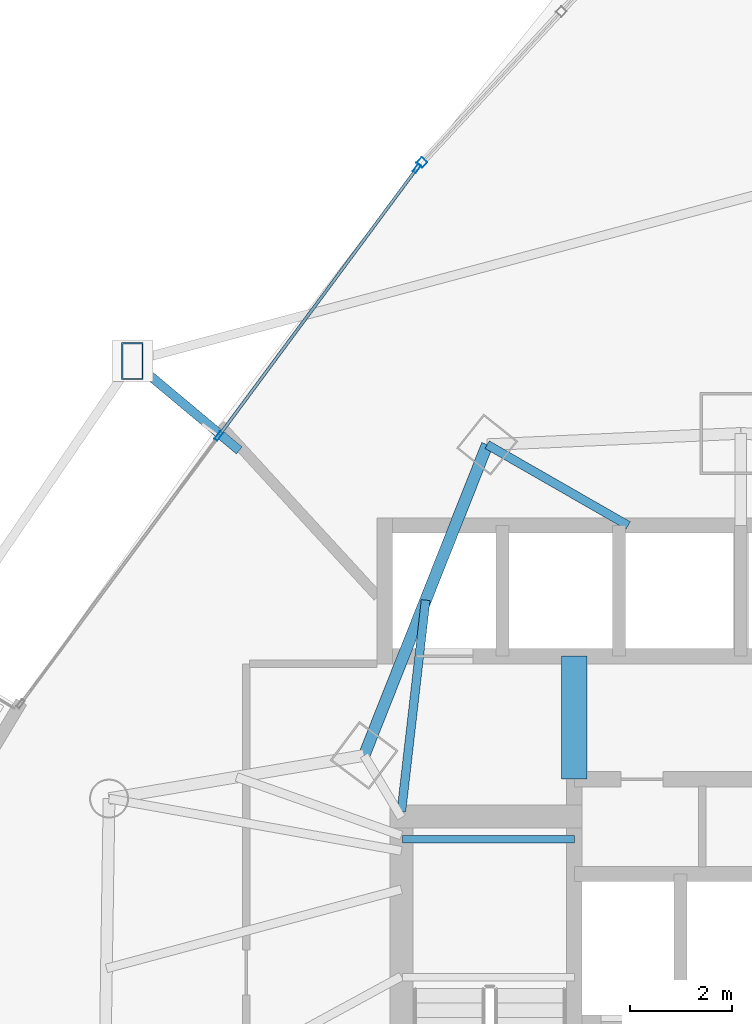
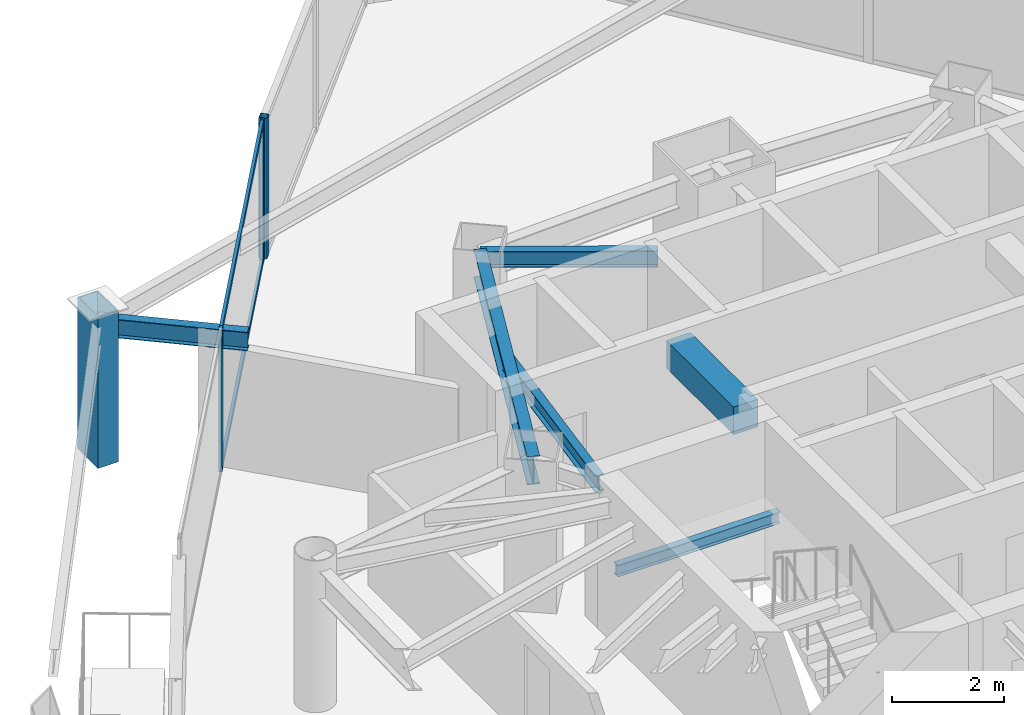
# One storey, part 23 of 35: 6 beams, 6 members, 2 elements without a shape of their own.
"""IFC4 building model written with IfcOpenShell, lengths in metres."""

from ifc_helpers import new_model, si_unit, direction, frame, origin, origin_2d, place, context, subcontext, project, spatial, rectangle, hollow_rectangle, i_section, extrude, material, layer, layer_set, material_profile, profile_set, type_object, element, aggregate, save


model = new_model("IFC4")

# Units and contexts
model_context = context("Model", 3, precision=1e-05, world=origin(), true_north=direction((0.0, 1.0)))
body_context = subcontext(model_context, "Body", "Model", "MODEL_VIEW")
ifc_project = project(units=[si_unit("LENGTHUNIT", "METRE"), si_unit("AREAUNIT", "SQUARE_METRE"), si_unit("VOLUMEUNIT", "CUBIC_METRE"), si_unit("PLANEANGLEUNIT", "RADIAN"), si_unit("MASSUNIT", "GRAM", prefix="KILO")], contexts=[model_context])

# Site, building, storey
site_placement = place(None, origin())
site = spatial("IfcSite", under=ifc_project, at=site_placement, CompositionType="ELEMENT")
building_placement = place(site_placement, origin())
building = spatial("IfcBuilding", under=site, at=building_placement, Name="Orvanel Arch Residences", CompositionType="ELEMENT")
storey_placement = place(building_placement, frame((0.0, 0.0, 30.199951171875)))
storey = spatial("IfcBuildingStorey", under=building, at=storey_placement, Name="L07", CompositionType="ELEMENT", Elevation=30.199951171875)

# Beams
ifc_material_1 = material(Name="Structural steel AS/NZS 3679.1 Grade 300 (300 MPa)", Category="steel")
ifc_material_profile_1 = material_profile(ifc_material_1, i_section(OverallWidth=0.14599609375, OverallDepth=0.251953125, WebThickness=0.006103515625, FlangeThickness=0.008544921875, at=origin_2d()), Name="250UB31.4")
ifc_profile_set_1 = profile_set([ifc_material_profile_1], Name="Structural steel AS/NZS 3679.1 Grade 300 (300 MPa)")
beam_type_1 = type_object("IfcBeamType", Name="BJ-250UB", PredefinedType="JOIST", material=ifc_profile_set_1)
beam_1_placement = place(storey_placement, frame((26.39990234375, 33.47998046875, 1.323974609375), z_axis=(1.0, 0.0, 0.0), x_axis=(0.0, 1.0, 0.0)))
element("IfcBeam", 1, at=beam_1_placement, inside=storey, type_object=beam_type_1, Name="L07 ST-1 Half-Landing Support Beam 1.2", PredefinedType="JOIST", context=body_context, shape_type="SweptSolid", body=[
    extrude(i_section(OverallWidth=0.14599609375, OverallDepth=0.251953125, WebThickness=0.006103515625, FlangeThickness=0.008544921875, at=origin_2d()), origin(), (0.0, 0.0, 1.0), 3.35009765625),
])
ifc_material_profile_2 = material_profile(ifc_material_1, i_section(OverallWidth=0.1708984375, OverallDepth=0.35595703125, WebThickness=0.00732421875, FlangeThickness=0.011474609375, at=origin_2d()), Name="360UB50.7")
ifc_profile_set_2 = profile_set([ifc_material_profile_2], Name="Structural steel AS/NZS 3679.1 Grade 300 (300 MPa)")
beam_type_2 = type_object("IfcBeamType", Name="BJ-360UB", PredefinedType="JOIST", material=ifc_profile_set_2)
beam_2_placement = place(storey_placement, frame((26.375, 34.02001953125, 2.882080078125), z_axis=(0.114186670431, 0.993459311847, 0.0), x_axis=(-0.993459311847, 0.114186670431, 0.0)))
element("IfcBeam", 2, at=beam_2_placement, inside=storey, type_object=beam_type_2, Name="L07 NNW2 Wing Floor Joist", PredefinedType="JOIST", context=body_context, shape_type="SweptSolid", body=[
    extrude(i_section(OverallWidth=0.1708984375, OverallDepth=0.35595703125, WebThickness=0.00732421875, FlangeThickness=0.011474609375, at=origin_2d()), origin(), (0.0, 0.0, 1.0), 4.152099609375),
])
beam_3_placement = place(storey_placement, frame((30.800048828125, 39.60009765625, 2.882080078125), z_axis=(-0.86736513383, 0.497672306458, 0.0), x_axis=(-0.497672306458, -0.86736513383, 0.0)))
element("IfcBeam", 3, at=beam_3_placement, inside=storey, type_object=beam_type_2, Name="L07 MNW Wing Floor Joist", PredefinedType="JOIST", context=body_context, shape_type="SweptSolid", body=[
    extrude(i_section(OverallWidth=0.1708984375, OverallDepth=0.35595703125, WebThickness=0.00732421875, FlangeThickness=0.011474609375, at=origin_2d()), origin(), (0.0, 0.0, 1.0), 3.17041015625),
])
ifc_material_2 = material(Name="Concrete S65 (65 MPa)", Category="concrete")
ifc_material_profile_3 = material_profile(ifc_material_2, rectangle(XDim=0.5, YDim=0.60009765625, at=origin_2d()), Name="RC500x600")
ifc_profile_set_3 = profile_set([ifc_material_profile_3], Name="Concrete S65 (65 MPa)")
beam_type_3 = type_object("IfcBeamType", Name="CB-500x600", PredefinedType="LINTEL", material=ifc_profile_set_3)
beam_4_placement = place(storey_placement, frame((29.75, 34.64990234375, 2.760009765625), z_axis=(0.0, 1.0, 0.0), x_axis=(-1.0, 0.0, 0.0)))
element("IfcBeam", 4, at=beam_4_placement, inside=storey, type_object=beam_type_3, Name="L07 West Core Lobby Coupling Lintel Beam", PredefinedType="LINTEL", context=body_context, shape_type="SweptSolid", body=[
    extrude(rectangle(XDim=0.5, YDim=0.60009765625, at=origin_2d()), origin(), (0.0, 0.0, 1.0), 2.400146484375),
])

# Member
ifc_material_3 = material(Name="Structural steel AS/NZS 3678 Grade 350", Category="steel")
ifc_material_profile_4 = material_profile(ifc_material_3, hollow_rectangle(XDim=0.419921875, YDim=0.719970703125, WallThickness=0.02490234375, at=origin_2d()), Name="RHS720x420x25")
ifc_profile_set_4 = profile_set([ifc_material_profile_4], Name="Structural steel AS/NZS 3678 Grade 350")
member_type_1 = type_object("IfcMemberType", Name="CH-720RHS-EXT", PredefinedType="CHORD", material=ifc_profile_set_4)
member_1_placement = place(storey_placement, frame((21.126953125, 42.80908203125, 0.0), z_axis=(0.0, 0.0, 1.0), x_axis=(1.0, 0.0, 0.0)))
element("IfcMember", 5, at=member_1_placement, inside=storey, type_object=member_type_1, Name="L07 Outer Perimeter Frame Post 01", PredefinedType="CHORD", context=body_context, shape_type="SweptSolid", body=[
    extrude(hollow_rectangle(XDim=0.419921875, YDim=0.719970703125, WallThickness=0.02490234375, at=origin_2d()), origin(), (0.0, 0.0, 1.0), 3.300048828125),
])

# Curtain wall, member
ifc_material_4 = material(Name="Bronze-anodised aluminium AA6063-T6", Category="aluminium")
ifc_layer_1 = layer(ifc_material_4, 0.18994140625)
ifc_layer_set_1 = layer_set([ifc_layer_1], Name="Bronze-anodised aluminium AA6063-T6")
curtain_wall_type_1 = type_object("IfcCurtainWallType", Name="CW5-CRN-SYS", PredefinedType="NOTDEFINED", material=ifc_layer_set_1)
curtain_wall_1_placement = place(storey_placement, origin())
curtain_wall_1 = element("IfcCurtainWall", 6, at=curtain_wall_1_placement, inside=storey, type_object=curtain_wall_type_1, Name="L07 CW5-CRN-SYS Unitised Curtain Wall", PredefinedType="NOTDEFINED")
ifc_material_profile_5 = material_profile(ifc_material_4, hollow_rectangle(XDim=0.14990234375, YDim=0.14990234375, WallThickness=0.0048828125, at=origin_2d()), Name="ALU150x150x5")
ifc_profile_set_5 = profile_set([ifc_material_profile_5], Name="Bronze-anodised aluminium AA6063-T6")
member_type_2 = type_object("IfcMemberType", Name="MUL-150x150", PredefinedType="MULLION", material=ifc_profile_set_5)
member_2_placement = place(storey_placement, frame((26.77587890625, 46.68408203125, 0.0), z_axis=(0.0, 0.0, 1.0), x_axis=(0.734704866707, -0.678386879912, 0.0)))
member_2 = element("IfcMember", 7, at=member_2_placement, type_object=member_type_2, Name="CW-S5 mullion 3", PredefinedType="MULLION", context=body_context, shape_type="SweptSolid", body=[
    extrude(hollow_rectangle(XDim=0.14990234375, YDim=0.14990234375, WallThickness=0.0048828125, at=origin_2d()), origin(), (0.0, 0.0, 1.0), 3.06005859375),
])
aggregate(curtain_wall_1, [member_2])

# Curtain wall, members
ifc_layer_2 = layer(ifc_material_4, 0.179931640625)
ifc_layer_set_2 = layer_set([ifc_layer_2], Name="Bronze-anodised aluminium AA6063-T6")
curtain_wall_type_2 = type_object("IfcCurtainWallType", Name="CW2-LOW-SYS", PredefinedType="NOTDEFINED", material=ifc_layer_set_2)
curtain_wall_2_placement = place(storey_placement, origin())
curtain_wall_2 = element("IfcCurtainWall", 8, at=curtain_wall_2_placement, inside=storey, type_object=curtain_wall_type_2, Name="L07 CW2-LOW-SYS Unitised Curtain Wall", PredefinedType="NOTDEFINED")
ifc_material_profile_6 = material_profile(ifc_material_4, hollow_rectangle(XDim=0.070068359375, YDim=0.179931640625, WallThickness=0.00439453125, at=origin_2d()), Name="ALU180x70x4.5")
ifc_profile_set_6 = profile_set([ifc_material_profile_6], Name="Bronze-anodised aluminium AA6063-T6")
member_type_3 = type_object("IfcMemberType", Name="MUL-180x70", PredefinedType="MULLION", material=ifc_profile_set_6)
member_3_placement = place(storey_placement, frame((26.67822265625, 46.56982421875, 0.0), z_axis=(0.0, 0.0, 1.0), x_axis=(0.803638489605, -0.595117785002, 0.0)))
member_3 = element("IfcMember", 9, at=member_3_placement, type_object=member_type_3, Name="CW-S2 mullion 1", PredefinedType="MULLION", context=body_context, shape_type="SweptSolid", body=[
    extrude(hollow_rectangle(XDim=0.070068359375, YDim=0.179931640625, WallThickness=0.00439453125, at=origin_2d()), origin(), (0.0, 0.0, 1.0), 3.06005859375),
])
member_4_placement = place(storey_placement, frame((22.80908203125, 41.344970703125, 0.0), z_axis=(0.0, 0.0, 1.0), x_axis=(0.803638489605, -0.595117785002, 0.0)))
member_4 = element("IfcMember", 10, at=member_4_placement, type_object=member_type_3, Name="CW-S2 mullion 2", PredefinedType="MULLION", context=body_context, shape_type="SweptSolid", body=[
    extrude(hollow_rectangle(XDim=0.070068359375, YDim=0.179931640625, WallThickness=0.00439453125, at=origin_2d()), origin(), (0.0, 0.0, 1.0), 3.06005859375),
])

# Beams
ifc_material_profile_7 = material_profile(ifc_material_1, i_section(OverallWidth=0.177978515625, OverallDepth=0.406005859375, WebThickness=0.0078125, FlangeThickness=0.0126953125, at=origin_2d()), Name="410UB59.7")
ifc_profile_set_7 = profile_set([ifc_material_profile_7], Name="Structural steel AS/NZS 3679.1 Grade 300 (300 MPa)")
beam_type_4 = type_object("IfcBeamType", Name="OB-410UB-EXT", PredefinedType="SPANDREL", material=ifc_profile_set_7)
beam_5_placement = place(storey_placement, frame((23.2119140625, 41.06591796875, 2.85693359375), z_axis=(-0.767189392151, 0.64142063934, 0.0), x_axis=(-0.64142063934, -0.767189392151, 0.0)))
element("IfcBeam", 11, at=beam_5_placement, inside=storey, type_object=beam_type_4, Name="L07 Outer Frame Radial Tie Beam 01", PredefinedType="SPANDREL", context=body_context, shape_type="SweptSolid", body=[
    extrude(i_section(OverallWidth=0.177978515625, OverallDepth=0.406005859375, WebThickness=0.0078125, FlangeThickness=0.0126953125, at=origin_2d()), origin(), (0.0, 0.0, 1.0), 2.7177734375),
])
ifc_material_profile_8 = material_profile(ifc_material_1, i_section(OverallWidth=0.22900390625, OverallDepth=0.612060546875, WebThickness=0.011962890625, FlangeThickness=0.01953125, at=origin_2d()), Name="610UB125")
ifc_profile_set_8 = profile_set([ifc_material_profile_8], Name="Structural steel AS/NZS 3679.1 Grade 300 (300 MPa)")
beam_type_5 = type_object("IfcBeamType", Name="SP-610UB", PredefinedType="SPANDREL", material=ifc_profile_set_8)
beam_6_placement = place(storey_placement, frame((28.050048828125, 41.177978515625, 2.754150390625), z_axis=(-0.368233143579, -0.929733484376, 0.0), x_axis=(0.929733484376, -0.368233143579, 0.0)))
element("IfcBeam", 12, at=beam_6_placement, inside=storey, type_object=beam_type_5, Name="L07 Perimeter Spandrel Beam 18", PredefinedType="SPANDREL", context=body_context, shape_type="SweptSolid", body=[
    extrude(i_section(OverallWidth=0.22900390625, OverallDepth=0.612060546875, WebThickness=0.011962890625, FlangeThickness=0.01953125, at=origin_2d()), origin(), (0.0, 0.0, 1.0), 6.523193359375),
])

# Member
ifc_material_profile_9 = material_profile(ifc_material_4, hollow_rectangle(XDim=0.06005859375, YDim=0.135009765625, WallThickness=0.00390625, at=origin_2d()), Name="ALU135x60x4")
ifc_profile_set_9 = profile_set([ifc_material_profile_9], Name="Bronze-anodised aluminium AA6063-T6")
member_type_4 = type_object("IfcMemberType", Name="TRN-135x60", PredefinedType="USERDEFINED", material=ifc_profile_set_9)
member_5_placement = place(storey_placement, frame((26.6572265625, 46.541748046875, 0.030029296875), z_axis=(-0.595099541417, -0.803651999192, 0.0), x_axis=(0.803651999192, -0.595099541417, 0.0)))
member_5 = element("IfcMember", 13, at=member_5_placement, type_object=member_type_4, Name="CW-S2 transom 1.1", ObjectType="TRANSOM", PredefinedType="USERDEFINED", context=body_context, shape_type="SweptSolid", body=[
    extrude(hollow_rectangle(XDim=0.06005859375, YDim=0.135009765625, WallThickness=0.00390625, at=origin_2d()), origin(), (0.0, 0.0, 1.0), 6.431396484375),
])

member_6_placement = place(storey_placement, frame((26.6572265625, 46.541748046875, 3.030029296875), z_axis=(-0.595099541417, -0.803651999192, 0.0), x_axis=(0.803651999192, -0.595099541417, 0.0)))
member_6 = element("IfcMember", 14, at=member_6_placement, type_object=member_type_4, Name="CW-S2 transom 1.2", ObjectType="TRANSOM", PredefinedType="USERDEFINED", context=body_context, shape_type="SweptSolid", body=[
    extrude(hollow_rectangle(XDim=0.06005859375, YDim=0.135009765625, WallThickness=0.00390625, at=origin_2d()), origin(), (0.0, 0.0, 1.0), 6.431396484375),
])

aggregate(curtain_wall_2, [member_3, member_4, member_5, member_6])

save(model, "model.ifc")
